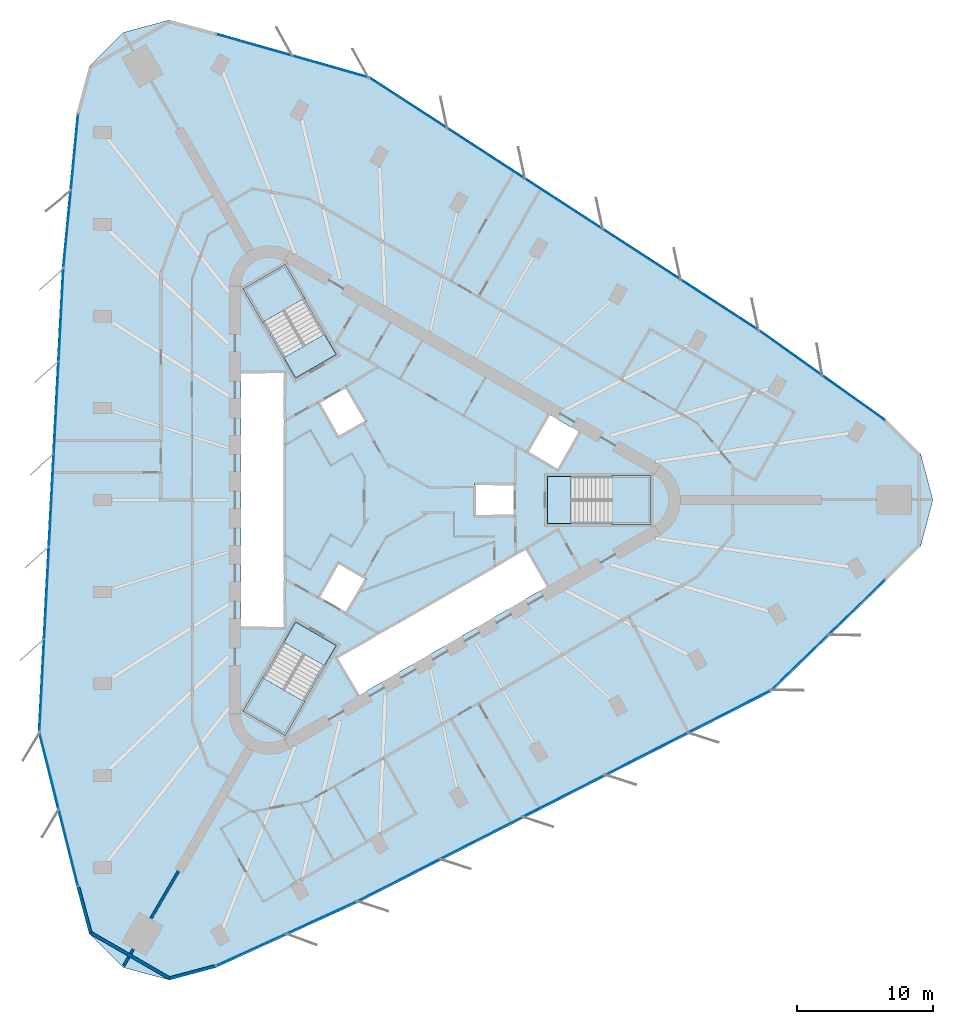
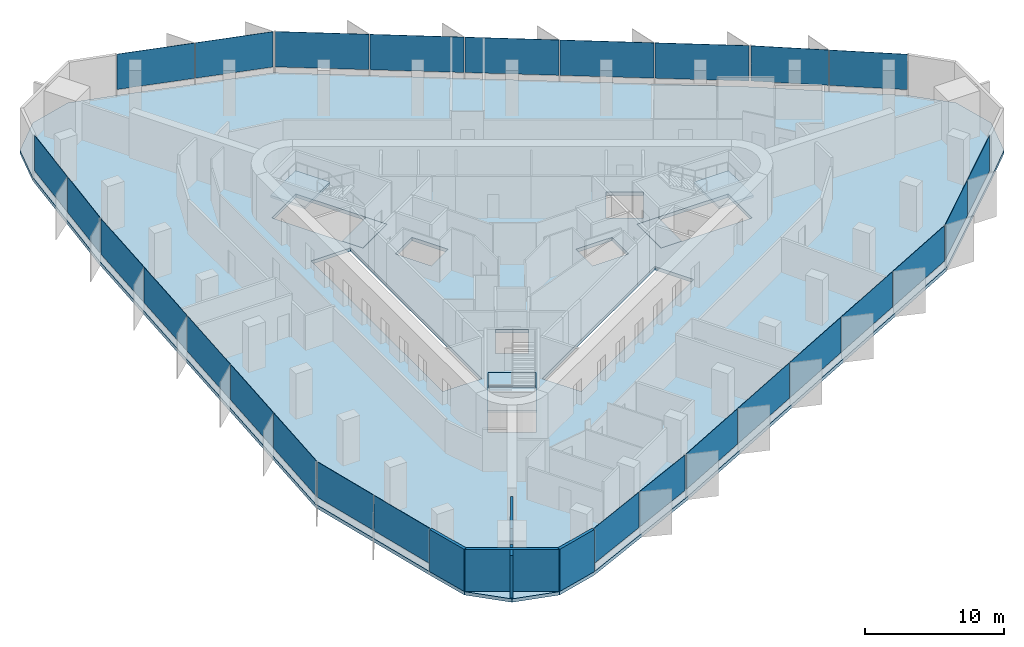
# One storey, part 7 of 14: 27 plates, 7 slabs, 6 walls, 12 elements without a shape of their own.
"""IFC4 building model written with IfcOpenShell, lengths in metres."""

from ifc_helpers import new_model, si_unit, direction, frame, frame_2d, origin, origin_2d, place, context, subcontext, project, spatial, polyline, rectangle, outline, extrude, material, layer, layer_set, type_object, element, aggregate, save


model = new_model("IFC4")

# Units and contexts
model_context = context("Model", 3, precision=1e-05, world=origin(), true_north=direction((0.0, 1.0)))
body_context = subcontext(model_context, "Body", "Model", "MODEL_VIEW")
ifc_project = project(units=[si_unit("LENGTHUNIT", "METRE"), si_unit("AREAUNIT", "SQUARE_METRE"), si_unit("VOLUMEUNIT", "CUBIC_METRE"), si_unit("PLANEANGLEUNIT", "RADIAN"), si_unit("MASSUNIT", "GRAM", prefix="KILO")], contexts=[model_context])

# Site, building, storey
site_placement = place(None, origin())
site = spatial("IfcSite", under=ifc_project, at=site_placement, CompositionType="ELEMENT")
building_placement = place(site_placement, origin())
building = spatial("IfcBuilding", under=site, at=building_placement, Name="Tanit Gate Tower", CompositionType="ELEMENT")
storey_placement = place(building_placement, frame((0.0, 0.0, 261.199951171875)))
storey = spatial("IfcBuildingStorey", under=building, at=storey_placement, Name="L59", CompositionType="ELEMENT", Elevation=261.199951171875)

# Slab
ifc_material_1 = material(Name="Concrete C35/45", Category="concrete")
ifc_layer_1 = layer(ifc_material_1, 0.300048828125)
ifc_layer_set_1 = layer_set([ifc_layer_1], Name="FLOOR SLAB 300 C35/45")
slab_type_1 = type_object("IfcSlabType", Name="FLOOR SLAB 300 C35/45", PredefinedType="FLOOR", material=ifc_layer_set_1)
slab_1_placement = place(storey_placement, frame((0.0, 0.0, -0.300048828125)))
element("IfcSlab", 1, at=slab_1_placement, inside=storey, type_object=slab_type_1, Name="FLOOR SLAB L59", PredefinedType="FLOOR", context=body_context, shape_type="SweptSolid", body=[
    extrude(outline(polyline([(36.34765625, 5.927734375), (38.85302734375, 3.42236328125), (39.77001953125, 0.0), (38.85302734375, -3.42236328125), (36.34765625, -5.927734375), (27.90380859375, -14.114013671875), (-2.617431640625, -29.68359375), (-13.040283203125, -34.44189453125), (-16.462646484375, -35.35888671875), (-19.885009765625, -34.44189453125), (-22.390380859375, -31.9365234375), (-23.307373046875, -28.51416015625), (-26.175048828125, -17.1083984375), (-24.39794921875, 17.1083984375), (-23.307373046875, 28.51416015625), (-22.390380859375, 31.9365234375), (-19.885009765625, 34.44189453125), (-16.462646484375, 35.35888671875), (-13.040283203125, 34.44189453125), (-1.72900390625, 31.222412109375), (27.015380859375, 12.574951171875), (36.34765625, 5.927734375)]), holes=[polyline([(11.3701171875, 1.72998046875), (18.929931640625, 1.72998046875), (18.929931640625, -1.72998046875), (11.3701171875, -1.72998046875), (11.3701171875, 1.72998046875)]), polyline([(9.82080078125, 3.510009765625), (11.44580078125, 6.324462890625), (13.783935546875, 4.974609375), (12.158935546875, 2.159912109375), (9.82080078125, 3.510009765625)]), polyline([(-4.208984375, -11.60986328125), (9.82080078125, -3.510009765625), (11.44580078125, -6.324462890625), (-2.583984375, -14.424560546875), (-4.208984375, -11.60986328125)]), polyline([(6.0, 1.199951171875), (9.0, 1.199951171875), (9.0, -1.199951171875), (6.0, -1.199951171875), (6.0, 1.199951171875)]), polyline([(-5.539306640625, 7.194091796875), (-3.460693359375, 8.394287109375), (-1.960693359375, 5.796142578125), (-4.039306640625, 4.59619140625), (-5.539306640625, 7.194091796875)]), polyline([(-1.960693359375, -5.796142578125), (-3.460693359375, -8.394287109375), (-5.539306640625, -7.194091796875), (-4.039306640625, -4.59619140625), (-1.960693359375, -5.796142578125)]), polyline([(-10.963134765625, 15.52880859375), (-7.966796875, 17.2587890625), (-4.186767578125, 10.711669921875), (-7.18310546875, 8.981689453125), (-10.963134765625, 15.52880859375)]), polyline([(-4.186767578125, -10.711669921875), (-7.966796875, -17.2587890625), (-10.963134765625, -15.52880859375), (-7.18310546875, -8.981689453125), (-4.186767578125, -10.711669921875)]), polyline([(-11.199951171875, -9.449951171875), (-11.199951171875, 9.449951171875), (-7.949951171875, 9.449951171875), (-7.949951171875, -9.449951171875), (-11.199951171875, -9.449951171875)])]), origin(), (0.0, 0.0, 1.0), 0.300048828125),
])

# Curtain wall, plates
ifc_material_2 = material(Name="Aluminium bronze anodised and glass", Category="aluminium")
curtain_wall_type = type_object("IfcCurtainWallType", Name="Curtain wall typical mid", PredefinedType="NOTDEFINED", material=ifc_material_2)
curtain_wall_1_placement = place(storey_placement, origin())
curtain_wall_1 = element("IfcCurtainWall", 2, at=curtain_wall_1_placement, inside=storey, type_object=curtain_wall_type, Name="Curtain wall L59 NE1", PredefinedType="NOTDEFINED")
ifc_material_3 = material(Name="Glass tinted", Category="glass")
ifc_layer_2 = layer(ifc_material_3, 0.030029296875)
ifc_layer_set_2 = layer_set([ifc_layer_2], Name="Glass panel 30 typical mid")
plate_type = type_object("IfcPlateType", Name="Glass panel 30 typical mid", PredefinedType="CURTAIN_PANEL", material=ifc_layer_set_2)
plate_1_placement = place(storey_placement, frame((33.923095703125, 7.50732421875, 0.60009765625), z_axis=(0.0, 0.0, 1.0), x_axis=(-0.814502523008, 0.580160012422, 0.0)))
plate_1 = element("IfcPlate", 3, at=plate_1_placement, type_object=plate_type, Name="Glass panel L59 NE1.1", PredefinedType="CURTAIN_PANEL", context=body_context, shape_type="SweptSolid", body=[
    extrude(rectangle(XDim=5.6025390625, YDim=0.030029296875, at=origin_2d()), origin(), (0.0, 0.0, 1.0), 3.10009765625),
])
plate_2_placement = place(storey_placement, frame((29.294677734375, 10.80419921875, 0.60009765625), z_axis=(0.0, 0.0, 1.0), x_axis=(-0.814502523008, 0.580160012422, 0.0)))
plate_2 = element("IfcPlate", 4, at=plate_2_placement, type_object=plate_type, Name="Glass panel L59 NE1.2", PredefinedType="CURTAIN_PANEL", context=body_context, shape_type="SweptSolid", body=[
    extrude(rectangle(XDim=5.6025390625, YDim=0.030029296875, at=origin_2d()), origin(), (0.0, 0.0, 1.0), 3.10009765625),
])
aggregate(curtain_wall_1, [plate_1, plate_2])

curtain_wall_2_placement = place(storey_placement, origin())
curtain_wall_2 = element("IfcCurtainWall", 5, at=curtain_wall_2_placement, inside=storey, type_object=curtain_wall_type, Name="Curtain wall L59 NE2", PredefinedType="NOTDEFINED")
plate_3_placement = place(storey_placement, frame((24.04833984375, 14.356689453125, 0.60009765625), z_axis=(0.0, 0.0, 1.0), x_axis=(-0.838927413588, 0.544243323092, 0.0)))
plate_3 = element("IfcPlate", 6, at=plate_3_placement, type_object=plate_type, Name="Glass panel L59 NE2.1", PredefinedType="CURTAIN_PANEL", context=body_context, shape_type="SweptSolid", body=[
    extrude(rectangle(XDim=6.75244140625, YDim=0.030029296875, at=origin_2d()), origin(), (0.0, 0.0, 1.0), 3.10009765625),
])
plate_4_placement = place(storey_placement, frame((18.31640625, 18.0751953125, 0.60009765625), z_axis=(0.0, 0.0, 1.0), x_axis=(-0.838927413588, 0.544243323092, 0.0)))
plate_4 = element("IfcPlate", 7, at=plate_4_placement, type_object=plate_type, Name="Glass panel L59 NE2.2", PredefinedType="CURTAIN_PANEL", context=body_context, shape_type="SweptSolid", body=[
    extrude(rectangle(XDim=6.75244140625, YDim=0.030029296875, at=origin_2d()), origin(), (0.0, 0.0, 1.0), 3.10009765625),
])
plate_5_placement = place(storey_placement, frame((12.58447265625, 21.7939453125, 0.60009765625), z_axis=(0.0, 0.0, 1.0), x_axis=(-0.838927413588, 0.544243323092, 0.0)))
plate_5 = element("IfcPlate", 8, at=plate_5_placement, type_object=plate_type, Name="Glass panel L59 NE2.3", PredefinedType="CURTAIN_PANEL", context=body_context, shape_type="SweptSolid", body=[
    extrude(rectangle(XDim=6.75244140625, YDim=0.030029296875, at=origin_2d()), origin(), (0.0, 0.0, 1.0), 3.10009765625),
])
plate_6_placement = place(storey_placement, frame((6.852294921875, 25.512451171875, 0.60009765625), z_axis=(0.0, 0.0, 1.0), x_axis=(-0.838927413588, 0.544243323092, 0.0)))
plate_6 = element("IfcPlate", 9, at=plate_6_placement, type_object=plate_type, Name="Glass panel L59 NE2.4", PredefinedType="CURTAIN_PANEL", context=body_context, shape_type="SweptSolid", body=[
    extrude(rectangle(XDim=6.75244140625, YDim=0.030029296875, at=origin_2d()), origin(), (0.0, 0.0, 1.0), 3.10009765625),
])
plate_7_placement = place(storey_placement, frame((1.120361328125, 29.23095703125, 0.60009765625), z_axis=(0.0, 0.0, 1.0), x_axis=(-0.838927413588, 0.544243323092, 0.0)))
plate_7 = element("IfcPlate", 10, at=plate_7_placement, type_object=plate_type, Name="Glass panel L59 NE2.5", PredefinedType="CURTAIN_PANEL", context=body_context, shape_type="SweptSolid", body=[
    extrude(rectangle(XDim=6.75244140625, YDim=0.030029296875, at=origin_2d()), origin(), (0.0, 0.0, 1.0), 3.10009765625),
])
aggregate(curtain_wall_2, [plate_3, plate_4, plate_5, plate_6, plate_7])

curtain_wall_3_placement = place(storey_placement, origin())
curtain_wall_3 = element("IfcCurtainWall", 11, at=curtain_wall_3_placement, inside=storey, type_object=curtain_wall_type, Name="Curtain wall L59 NE3", PredefinedType="NOTDEFINED")
plate_8_placement = place(storey_placement, frame((-4.62158203125, 31.9208984375, 0.60009765625), z_axis=(0.0, 0.0, 1.0), x_axis=(-0.961802543312, 0.273744164647, 0.0)))
plate_8 = element("IfcPlate", 12, at=plate_8_placement, type_object=plate_type, Name="Glass panel L59 NE3.1", PredefinedType="CURTAIN_PANEL", context=body_context, shape_type="SweptSolid", body=[
    extrude(rectangle(XDim=5.750732421875, YDim=0.030029296875, at=origin_2d()), origin(), (0.0, 0.0, 1.0), 3.10009765625),
])
plate_9_placement = place(storey_placement, frame((-10.229736328125, 33.51708984375, 0.60009765625), z_axis=(0.0, 0.0, 1.0), x_axis=(-0.961802543312, 0.273744164647, 0.0)))
plate_9 = element("IfcPlate", 13, at=plate_9_placement, type_object=plate_type, Name="Glass panel L59 NE3.2", PredefinedType="CURTAIN_PANEL", context=body_context, shape_type="SweptSolid", body=[
    extrude(rectangle(XDim=5.7509765625, YDim=0.030029296875, at=origin_2d()), origin(), (0.0, 0.0, 1.0), 3.10009765625),
])
aggregate(curtain_wall_3, [plate_8, plate_9])

curtain_wall_4_placement = place(storey_placement, origin())
curtain_wall_4 = element("IfcCurtainWall", 14, at=curtain_wall_4_placement, inside=storey, type_object=curtain_wall_type, Name="Curtain wall L59 W1", PredefinedType="NOTDEFINED")
plate_10_placement = place(storey_placement, frame((-23.463134765625, 25.62451171875, 0.60009765625), z_axis=(0.0, 0.0, 1.0), x_axis=(-0.095182047514, -0.995459882582, 0.0)))
plate_10 = element("IfcPlate", 15, at=plate_10_placement, type_object=plate_type, Name="Glass panel L59 W1.1", PredefinedType="CURTAIN_PANEL", context=body_context, shape_type="SweptSolid", body=[
    extrude(rectangle(XDim=5.6025390625, YDim=0.030029296875, at=origin_2d()), origin(), (0.0, 0.0, 1.0), 3.10009765625),
])
plate_11_placement = place(storey_placement, frame((-24.00390625, 19.9677734375, 0.60009765625), z_axis=(0.0, 0.0, 1.0), x_axis=(-0.095182047514, -0.995459882582, 0.0)))
plate_11 = element("IfcPlate", 16, at=plate_11_placement, type_object=plate_type, Name="Glass panel L59 W1.2", PredefinedType="CURTAIN_PANEL", context=body_context, shape_type="SweptSolid", body=[
    extrude(rectangle(XDim=5.6025390625, YDim=0.030029296875, at=origin_2d()), origin(), (0.0, 0.0, 1.0), 3.10009765625),
])
aggregate(curtain_wall_4, [plate_10, plate_11])

curtain_wall_5_placement = place(storey_placement, origin())
curtain_wall_5 = element("IfcCurtainWall", 17, at=curtain_wall_5_placement, inside=storey, type_object=curtain_wall_type, Name="Curtain wall L59 W2", PredefinedType="NOTDEFINED")
plate_12_placement = place(storey_placement, frame((-24.45751953125, 13.648193359375, 0.60009765625), z_axis=(0.0, 0.0, 1.0), x_axis=(-0.051864836844, -0.998654113645, 0.0)))
plate_12 = element("IfcPlate", 18, at=plate_12_placement, type_object=plate_type, Name="Glass panel L59 W2.1", PredefinedType="CURTAIN_PANEL", context=body_context, shape_type="SweptSolid", body=[
    extrude(rectangle(XDim=6.75244140625, YDim=0.030029296875, at=origin_2d()), origin(), (0.0, 0.0, 1.0), 3.10009765625),
])
plate_13_placement = place(storey_placement, frame((-24.811767578125, 6.82470703125, 0.60009765625), z_axis=(0.0, 0.0, 1.0), x_axis=(-0.051864836844, -0.998654113645, 0.0)))
plate_13 = element("IfcPlate", 19, at=plate_13_placement, type_object=plate_type, Name="Glass panel L59 W2.2", PredefinedType="CURTAIN_PANEL", context=body_context, shape_type="SweptSolid", body=[
    extrude(rectangle(XDim=6.75244140625, YDim=0.030029296875, at=origin_2d()), origin(), (0.0, 0.0, 1.0), 3.10009765625),
])
plate_14_placement = place(storey_placement, frame((-25.166259765625, 0.00146484375, 0.60009765625), z_axis=(0.0, 0.0, 1.0), x_axis=(-0.051864836844, -0.998654113645, 0.0)))
plate_14 = element("IfcPlate", 20, at=plate_14_placement, type_object=plate_type, Name="Glass panel L59 W2.3", PredefinedType="CURTAIN_PANEL", context=body_context, shape_type="SweptSolid", body=[
    extrude(rectangle(XDim=6.75244140625, YDim=0.030029296875, at=origin_2d()), origin(), (0.0, 0.0, 1.0), 3.10009765625),
])
plate_15_placement = place(storey_placement, frame((-25.5205078125, -6.82177734375, 0.60009765625), z_axis=(0.0, 0.0, 1.0), x_axis=(-0.051864836844, -0.998654113645, 0.0)))
plate_15 = element("IfcPlate", 21, at=plate_15_placement, type_object=plate_type, Name="Glass panel L59 W2.4", PredefinedType="CURTAIN_PANEL", context=body_context, shape_type="SweptSolid", body=[
    extrude(rectangle(XDim=6.75244140625, YDim=0.030029296875, at=origin_2d()), origin(), (0.0, 0.0, 1.0), 3.10009765625),
])
plate_16_placement = place(storey_placement, frame((-25.875, -13.64501953125, 0.60009765625), z_axis=(0.0, 0.0, 1.0), x_axis=(-0.051864836844, -0.998654113645, 0.0)))
plate_16 = element("IfcPlate", 22, at=plate_16_placement, type_object=plate_type, Name="Glass panel L59 W2.5", PredefinedType="CURTAIN_PANEL", context=body_context, shape_type="SweptSolid", body=[
    extrude(rectangle(XDim=6.75244140625, YDim=0.030029296875, at=origin_2d()), origin(), (0.0, 0.0, 1.0), 3.10009765625),
])
aggregate(curtain_wall_5, [plate_12, plate_13, plate_14, plate_15, plate_16])

curtain_wall_6_placement = place(storey_placement, origin())
curtain_wall_6 = element("IfcCurtainWall", 23, at=curtain_wall_6_placement, inside=storey, type_object=curtain_wall_type, Name="Curtain wall L59 W3", PredefinedType="NOTDEFINED")
plate_17_placement = place(storey_placement, frame((-25.33349609375, -19.962890625, 0.60009765625), z_axis=(0.0, 0.0, 1.0), x_axis=(0.243831870934, -0.969817518256, 0.0)))
plate_17 = element("IfcPlate", 24, at=plate_17_placement, type_object=plate_type, Name="Glass panel L59 W3.1", PredefinedType="CURTAIN_PANEL", context=body_context, shape_type="SweptSolid", body=[
    extrude(rectangle(XDim=5.750732421875, YDim=0.030029296875, at=origin_2d()), origin(), (0.0, 0.0, 1.0), 3.10009765625),
])
plate_18_placement = place(storey_placement, frame((-23.911865234375, -25.61767578125, 0.60009765625), z_axis=(0.0, 0.0, 1.0), x_axis=(0.243831870934, -0.969817518256, 0.0)))
plate_18 = element("IfcPlate", 25, at=plate_18_placement, type_object=plate_type, Name="Glass panel L59 W3.2", PredefinedType="CURTAIN_PANEL", context=body_context, shape_type="SweptSolid", body=[
    extrude(rectangle(XDim=5.7509765625, YDim=0.030029296875, at=origin_2d()), origin(), (0.0, 0.0, 1.0), 3.10009765625),
])
aggregate(curtain_wall_6, [plate_17, plate_18])

curtain_wall_7_placement = place(storey_placement, origin())
curtain_wall_7 = element("IfcCurtainWall", 26, at=curtain_wall_7_placement, inside=storey, type_object=curtain_wall_type, Name="Curtain wall L59 SE1", PredefinedType="NOTDEFINED")
plate_19_placement = place(storey_placement, frame((-10.4599609375, -33.1318359375, 0.60009765625), z_axis=(0.0, 0.0, 1.0), x_axis=(0.909684570522, 0.41529987016, 0.0)))
plate_19 = element("IfcPlate", 27, at=plate_19_placement, type_object=plate_type, Name="Glass panel L59 SE1.1", PredefinedType="CURTAIN_PANEL", context=body_context, shape_type="SweptSolid", body=[
    extrude(rectangle(XDim=5.6025390625, YDim=0.030029296875, at=origin_2d()), origin(), (0.0, 0.0, 1.0), 3.10009765625),
])
plate_20_placement = place(storey_placement, frame((-5.290771484375, -30.77197265625, 0.60009765625), z_axis=(0.0, 0.0, 1.0), x_axis=(0.909684570522, 0.41529987016, 0.0)))
plate_20 = element("IfcPlate", 28, at=plate_20_placement, type_object=plate_type, Name="Glass panel L59 SE1.2", PredefinedType="CURTAIN_PANEL", context=body_context, shape_type="SweptSolid", body=[
    extrude(rectangle(XDim=5.6025390625, YDim=0.030029296875, at=origin_2d()), origin(), (0.0, 0.0, 1.0), 3.10009765625),
])
aggregate(curtain_wall_7, [plate_19, plate_20])

curtain_wall_8_placement = place(storey_placement, origin())
curtain_wall_8 = element("IfcCurtainWall", 29, at=curtain_wall_8_placement, inside=storey, type_object=curtain_wall_type, Name="Curtain wall L59 SE2", PredefinedType="NOTDEFINED")
plate_21_placement = place(storey_placement, frame((0.4091796875, -28.0048828125, 0.60009765625), z_axis=(0.0, 0.0, 1.0), x_axis=(0.890792250432, 0.454410790552, 0.0)))
plate_21 = element("IfcPlate", 30, at=plate_21_placement, type_object=plate_type, Name="Glass panel L59 SE2.1", PredefinedType="CURTAIN_PANEL", context=body_context, shape_type="SweptSolid", body=[
    extrude(rectangle(XDim=6.75244140625, YDim=0.030029296875, at=origin_2d()), origin(), (0.0, 0.0, 1.0), 3.10009765625),
])
plate_22_placement = place(storey_placement, frame((6.49560546875, -24.900146484375, 0.60009765625), z_axis=(0.0, 0.0, 1.0), x_axis=(0.890792250432, 0.454410790552, 0.0)))
plate_22 = element("IfcPlate", 31, at=plate_22_placement, type_object=plate_type, Name="Glass panel L59 SE2.2", PredefinedType="CURTAIN_PANEL", context=body_context, shape_type="SweptSolid", body=[
    extrude(rectangle(XDim=6.75244140625, YDim=0.030029296875, at=origin_2d()), origin(), (0.0, 0.0, 1.0), 3.10009765625),
])
plate_23_placement = place(storey_placement, frame((12.581787109375, -21.79541015625, 0.60009765625), z_axis=(0.0, 0.0, 1.0), x_axis=(0.890792250432, 0.454410790552, 0.0)))
plate_23 = element("IfcPlate", 32, at=plate_23_placement, type_object=plate_type, Name="Glass panel L59 SE2.3", PredefinedType="CURTAIN_PANEL", context=body_context, shape_type="SweptSolid", body=[
    extrude(rectangle(XDim=6.75244140625, YDim=0.030029296875, at=origin_2d()), origin(), (0.0, 0.0, 1.0), 3.10009765625),
])
plate_24_placement = place(storey_placement, frame((18.668212890625, -18.6904296875, 0.60009765625), z_axis=(0.0, 0.0, 1.0), x_axis=(0.890792250432, 0.454410790552, 0.0)))
plate_24 = element("IfcPlate", 33, at=plate_24_placement, type_object=plate_type, Name="Glass panel L59 SE2.4", PredefinedType="CURTAIN_PANEL", context=body_context, shape_type="SweptSolid", body=[
    extrude(rectangle(XDim=6.75244140625, YDim=0.030029296875, at=origin_2d()), origin(), (0.0, 0.0, 1.0), 3.10009765625),
])
plate_25_placement = place(storey_placement, frame((24.75439453125, -15.585693359375, 0.60009765625), z_axis=(0.0, 0.0, 1.0), x_axis=(0.890792250432, 0.454410790552, 0.0)))
plate_25 = element("IfcPlate", 34, at=plate_25_placement, type_object=plate_type, Name="Glass panel L59 SE2.5", PredefinedType="CURTAIN_PANEL", context=body_context, shape_type="SweptSolid", body=[
    extrude(rectangle(XDim=6.75244140625, YDim=0.030029296875, at=origin_2d()), origin(), (0.0, 0.0, 1.0), 3.10009765625),
])
aggregate(curtain_wall_8, [plate_21, plate_22, plate_23, plate_24, plate_25])

curtain_wall_9_placement = place(storey_placement, origin())
curtain_wall_9 = element("IfcCurtainWall", 35, at=curtain_wall_9_placement, inside=storey, type_object=curtain_wall_type, Name="Curtain wall L59 SE3", PredefinedType="NOTDEFINED")
plate_26_placement = place(storey_placement, frame((29.955078125, -11.9580078125, 0.60009765625), z_axis=(0.0, 0.0, 1.0), x_axis=(0.717970672378, 0.696073353609, 0.0)))
plate_26 = element("IfcPlate", 36, at=plate_26_placement, type_object=plate_type, Name="Glass panel L59 SE3.1", PredefinedType="CURTAIN_PANEL", context=body_context, shape_type="SweptSolid", body=[
    extrude(rectangle(XDim=5.750732421875, YDim=0.030029296875, at=origin_2d()), origin(), (0.0, 0.0, 1.0), 3.10009765625),
])
plate_27_placement = place(storey_placement, frame((34.1416015625, -7.8994140625, 0.60009765625), z_axis=(0.0, 0.0, 1.0), x_axis=(0.717970672378, 0.696073353609, 0.0)))
plate_27 = element("IfcPlate", 37, at=plate_27_placement, type_object=plate_type, Name="Glass panel L59 SE3.2", PredefinedType="CURTAIN_PANEL", context=body_context, shape_type="SweptSolid", body=[
    extrude(rectangle(XDim=5.7509765625, YDim=0.030029296875, at=origin_2d()), origin(), (0.0, 0.0, 1.0), 3.10009765625),
])
aggregate(curtain_wall_9, [plate_26, plate_27])

# Stair, slab
ifc_material_4 = material(Name="Concrete C40/50", Category="concrete")
stair_type = type_object("IfcStairType", Name="INT-STAIR-EXIT", PredefinedType="HALF_TURN_STAIR", material=ifc_material_4)
stair_1_placement = place(storey_placement, origin())
stair_1 = element("IfcStair", 38, at=stair_1_placement, inside=storey, type_object=stair_type, Name="L59 STAIR S1", PredefinedType="HALF_TURN_STAIR")
ifc_material_5 = material(Name="Concrete C40/50", Category="concrete")
ifc_layer_3 = layer(ifc_material_5, 0.199951171875)
ifc_layer_set_3 = layer_set([ifc_layer_3], Name="INT-STAIR-LANDING")
slab_type_2 = type_object("IfcSlabType", Name="INT-STAIR-LANDING", PredefinedType="LANDING", material=ifc_layer_set_3)
slab_2_placement = place(storey_placement, frame((0.0, 0.0, 1.800048828125)))
slab_2 = element("IfcSlab", 39, at=slab_2_placement, type_object=slab_type_2, Name="S1 landing 1", PredefinedType="LANDING", context=body_context, shape_type="SweptSolid", body=[
    extrude(outline(polyline([(16.135986328125, -1.800048828125), (19.0, -1.800048828125), (19.0, 1.800048828125), (16.135986328125, 1.800048828125), (16.135986328125, -1.800048828125)])), origin(), (0.0, 0.0, 1.0), 0.199951171875),
])
aggregate(stair_1, [slab_2])

# Slab
slab_3_placement = place(storey_placement, frame((0.0, 0.0, -0.199951171875)))
element("IfcSlab", 40, at=slab_3_placement, inside=storey, type_object=slab_type_2, Name="S1 floor landing", PredefinedType="LANDING", context=body_context, shape_type="SweptSolid", body=[
    extrude(outline(polyline([(11.3798828125, -1.719970703125), (13.10498046875, -1.719970703125), (13.10498046875, 1.719970703125), (11.3798828125, 1.719970703125), (11.3798828125, -1.719970703125)])), origin(), (0.0, 0.0, 1.0), 0.199951171875),
])

# Stair, slab
stair_2_placement = place(storey_placement, origin())
stair_2 = element("IfcStair", 41, at=stair_2_placement, inside=storey, type_object=stair_type, Name="L59 STAIR S2", PredefinedType="HALF_TURN_STAIR")
slab_4_placement = place(storey_placement, frame((0.0, 0.0, 1.800048828125)))
slab_4 = element("IfcSlab", 42, at=slab_4_placement, type_object=slab_type_2, Name="S2 landing 1", PredefinedType="LANDING", context=body_context, shape_type="SweptSolid", body=[
    extrude(outline(polyline([(-6.5078125, 14.871826171875), (-7.941162109375, 17.3544921875), (-11.058837890625, 15.554443359375), (-9.62548828125, 13.07177734375), (-6.5078125, 14.871826171875)])), origin(), (0.0, 0.0, 1.0), 0.199951171875),
])
aggregate(stair_2, [slab_4])

# Slab
slab_5_placement = place(storey_placement, frame((0.0, 0.0, -0.199951171875)))
element("IfcSlab", 43, at=slab_5_placement, inside=storey, type_object=slab_type_2, Name="S2 floor landing", PredefinedType="LANDING", context=body_context, shape_type="SweptSolid", body=[
    extrude(outline(polyline([(-4.200439453125, 10.71533203125), (-5.0625, 12.20849609375), (-8.04150390625, 10.48828125), (-7.179443359375, 8.995361328125), (-4.200439453125, 10.71533203125)])), origin(), (0.0, 0.0, 1.0), 0.199951171875),
])

# Stair, slab
stair_3_placement = place(storey_placement, origin())
stair_3 = element("IfcStair", 44, at=stair_3_placement, inside=storey, type_object=stair_type, Name="L59 STAIR S3", PredefinedType="HALF_TURN_STAIR")
slab_6_placement = place(storey_placement, frame((0.0, 0.0, 1.800048828125)))
slab_6 = element("IfcSlab", 45, at=slab_6_placement, type_object=slab_type_2, Name="S3 landing 1", PredefinedType="LANDING", context=body_context, shape_type="SweptSolid", body=[
    extrude(outline(polyline([(-9.626953125, -13.07421875), (-11.058837890625, -15.554443359375), (-7.941162109375, -17.3544921875), (-6.509033203125, -14.874267578125), (-9.626953125, -13.07421875)])), origin(), (0.0, 0.0, 1.0), 0.199951171875),
])
aggregate(stair_3, [slab_6])

# Slab
slab_7_placement = place(storey_placement, frame((0.0, 0.0, -0.199951171875)))
element("IfcSlab", 46, at=slab_7_placement, inside=storey, type_object=slab_type_2, Name="S3 floor landing", PredefinedType="LANDING", context=body_context, shape_type="SweptSolid", body=[
    extrude(outline(polyline([(-7.179443359375, -8.995361328125), (-8.0419921875, -10.4892578125), (-5.06298828125, -12.209228515625), (-4.200439453125, -10.71533203125), (-7.179443359375, -8.995361328125)])), origin(), (0.0, 0.0, 1.0), 0.199951171875),
])

# Walls
ifc_material_6 = material(Name="Concrete C30/37 with bronze anodised aluminium cladding", Category="concrete")
ifc_layer_4 = layer(ifc_material_6, 0.239990234375)
ifc_layer_set_4 = layer_set([ifc_layer_4], Name="Facade wall bronze clad 240")
wall_type_1 = type_object("IfcWallType", Name="Facade wall bronze clad 240", PredefinedType="SOLIDWALL", material=ifc_layer_set_4)
wall_1_placement = place(storey_placement, frame((-23.191162109375, -28.484130859375, 0.0), z_axis=(0.0, 0.0, 1.0), x_axis=(0.258818367886, -0.965926007748, 0.0)))
element("IfcWall", 47, at=wall_1_placement, inside=storey, type_object=wall_type_1, Name="Bronze-clad facade wall L59 SW.arc1", PredefinedType="SOLIDWALL", context=body_context, shape_type="SweptSolid", body=[
    extrude(rectangle(XDim=3.510009765625, YDim=0.239990234375, at=frame_2d((1.7548828125, 0.0))), origin(), (0.0, 0.0, 1.0), 3.699951171875),
])
wall_2_placement = place(storey_placement, frame((-22.28271484375, -31.87451171875, 0.0), z_axis=(0.0, 0.0, 1.0), x_axis=(0.86603253074, -0.499987655547, 0.0)))
element("IfcWall", 48, at=wall_2_placement, inside=storey, type_object=wall_type_1, Name="Bronze-clad facade wall L59 SW.arc2", PredefinedType="SOLIDWALL", context=body_context, shape_type="SweptSolid", body=[
    extrude(rectangle(XDim=6.720458984375, YDim=0.239990234375, at=frame_2d((3.3603515625, 0.0))), origin(), (0.0, 0.0, 1.0), 3.699951171875),
])
wall_3_placement = place(storey_placement, frame((-16.462646484375, -35.234619140625, 0.0), z_axis=(0.0, 0.0, 1.0), x_axis=(0.965932176707, 0.258795343857, 0.0)))
element("IfcWall", 49, at=wall_3_placement, inside=storey, type_object=wall_type_1, Name="Bronze-clad facade wall L59 SW.arc3", PredefinedType="SOLIDWALL", context=body_context, shape_type="SweptSolid", body=[
    extrude(rectangle(XDim=3.5009765625, YDim=0.239990234375, at=frame_2d((1.75048828125, 0.0))), origin(), (0.0, 0.0, 1.0), 3.699951171875),
])
ifc_material_7 = material(Name="Fire-rated gypsum board partition")
ifc_layer_5 = layer(ifc_material_7, 0.199951171875)
ifc_layer_set_5 = layer_set([ifc_layer_5], Name="INT-WALL-COMPARTMENT")
wall_type_2 = type_object("IfcWallType", Name="INT-WALL-COMPARTMENT", PredefinedType="PARTITIONING", material=ifc_layer_set_5)
wall_4_placement = place(storey_placement, frame((-19.844970703125, -34.312255859375, 0.0), z_axis=(0.0, 0.0, 1.0), x_axis=(0.500151178888, 0.865938103017, 0.0)))
element("IfcWall", 50, at=wall_4_placement, inside=storey, type_object=wall_type_2, Name="Wall Compartment W122", PredefinedType="PARTITIONING", context=body_context, shape_type="SweptSolid", body=[
    extrude(rectangle(XDim=0.772216796875, YDim=0.199951171875, at=frame_2d((0.38623046875, 0.0))), origin(), (0.0, 0.0, 1.0), 3.699951171875),
])
wall_5_placement = place(storey_placement, frame((-19.338623046875, -33.435546875, 0.0), z_axis=(0.0, 0.0, 1.0), x_axis=(0.499896243657, 0.866085299251, 0.0)))
element("IfcWall", 51, at=wall_5_placement, inside=storey, type_object=wall_type_2, Name="Wall Compartment W122x1", PredefinedType="PARTITIONING", context=body_context, shape_type="SweptSolid", body=[
    extrude(rectangle(XDim=0.4052734375, YDim=0.199951171875, at=frame_2d((0.20263671875, 0.0))), origin(), (0.0, 0.0, 1.0), 3.699951171875),
])
wall_6_placement = place(storey_placement, frame((-17.8359375, -30.832763671875, 0.0), z_axis=(0.0, 0.0, 1.0), x_axis=(0.502422862308, 0.864622037326, 0.0)))
element("IfcWall", 52, at=wall_6_placement, inside=storey, type_object=wall_type_2, Name="Wall Compartment W123", PredefinedType="PARTITIONING", context=body_context, shape_type="SweptSolid", body=[
    extrude(rectangle(XDim=4.03759765625, YDim=0.199951171875, at=frame_2d((2.018798828125, 0.0))), origin(), (0.0, 0.0, 1.0), 3.27001953125),
])

save(model, "model.ifc")
